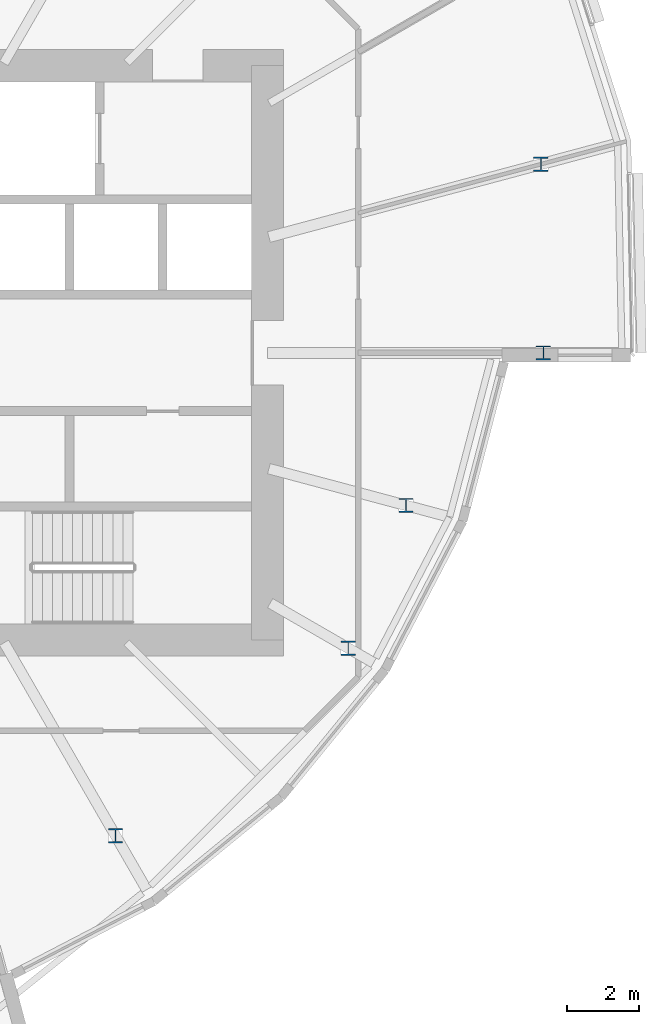
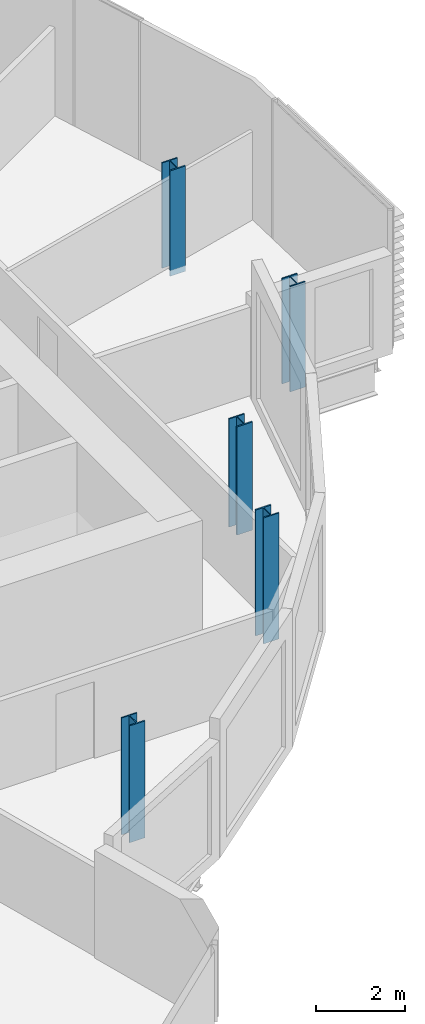
# One storey, part 2 of 38: 5 columns.
"""IFC4 building model written with IfcOpenShell, lengths in metres."""

from ifc_helpers import new_model, si_unit, direction, frame, origin, origin_2d, place, context, subcontext, project, spatial, i_section, extrude, material, material_profile, profile_set, type_object, element, save


model = new_model("IFC4")

# Units and contexts
model_context = context("Model", 3, precision=1e-05, world=origin(), true_north=direction((0.0, 1.0)))
body_context = subcontext(model_context, "Body", "Model", "MODEL_VIEW")
ifc_project = project(units=[si_unit("LENGTHUNIT", "METRE"), si_unit("AREAUNIT", "SQUARE_METRE"), si_unit("VOLUMEUNIT", "CUBIC_METRE"), si_unit("PLANEANGLEUNIT", "RADIAN"), si_unit("MASSUNIT", "GRAM", prefix="KILO")], contexts=[model_context])

# Site, building, storey
site_placement = place(None, origin())
site = spatial("IfcSite", under=ifc_project, at=site_placement, CompositionType="ELEMENT")
building_placement = place(site_placement, origin())
building = spatial("IfcBuilding", under=site, at=building_placement, Name="Rimbun Link Towers", CompositionType="ELEMENT")
storey_placement = place(building_placement, frame((0.0, 0.0, 68.0)))
storey = spatial("IfcBuildingStorey", under=building, at=storey_placement, Name="L16", CompositionType="ELEMENT", Elevation=68.0)

# Columns
ifc_material = material(Name="Steel S355J2", Category="steel")
ifc_material_profile = material_profile(ifc_material, i_section(OverallWidth=0.39892578125, OverallDepth=0.3935546875, WebThickness=0.022705078125, FlangeThickness=0.03662109375, at=origin_2d()), Name="UC 356x406x287")
ifc_profile_set = profile_set([ifc_material_profile], Name="Steel S355J2")
column_type = type_object("IfcColumnType", Name="UC 356x406x287", PredefinedType="COLUMN", material=ifc_profile_set)
column_1_placement = place(storey_placement, frame((39.517578125, -13.45361328125, -0.159912109375), z_axis=(0.0, 0.0, 1.0), x_axis=(1.0, 0.0, 0.0)))
element("IfcColumn", 1, at=column_1_placement, inside=storey, type_object=column_type, Name="Crease post T2 L16 17", PredefinedType="COLUMN", context=body_context, shape_type="SweptSolid", body=[
    extrude(i_section(OverallWidth=0.39892578125, OverallDepth=0.3935546875, WebThickness=0.022705078125, FlangeThickness=0.03662109375, at=origin_2d()), origin(), (0.0, 0.0, 1.0), 3.197265625),
])
column_2_placement = place(storey_placement, frame((46.0009765625, -8.227783203125, -0.159912109375), z_axis=(0.0, 0.0, 1.0), x_axis=(1.0, 0.0, 0.0)))
element("IfcColumn", 2, at=column_2_placement, inside=storey, type_object=column_type, Name="Crease post T2 L16 19", PredefinedType="COLUMN", context=body_context, shape_type="SweptSolid", body=[
    extrude(i_section(OverallWidth=0.39892578125, OverallDepth=0.3935546875, WebThickness=0.022705078125, FlangeThickness=0.03662109375, at=origin_2d()), origin(), (0.0, 0.0, 1.0), 3.44482421875),
])
column_3_placement = place(storey_placement, frame((47.610107421875, -4.249755859375, -0.159912109375), z_axis=(0.0, 0.0, 1.0), x_axis=(1.0, 0.0, 0.0)))
element("IfcColumn", 3, at=column_3_placement, inside=storey, type_object=column_type, Name="Crease post T2 L16 20", PredefinedType="COLUMN", context=body_context, shape_type="SweptSolid", body=[
    extrude(i_section(OverallWidth=0.39892578125, OverallDepth=0.3935546875, WebThickness=0.022705078125, FlangeThickness=0.03662109375, at=origin_2d()), origin(), (0.0, 0.0, 1.0), 2.959228515625),
])
for number, where, z_axis, x_axis, name in (
    (4, (51.435791015625, 0.0, -0.159912109375), (0.0, 0.0, 1.0), (1.0, 0.0, 0.0), "Crease post T2 L16 21"),
    (5, (51.3662109375, 5.256103515625, -0.159912109375), (0.0, 0.0, 1.0), (1.0, 0.0, 0.0), "Crease post T2 L16 22"),
):
    element("IfcColumn", number, at=place(storey_placement, frame(where, z_axis=z_axis, x_axis=x_axis)), inside=storey, type_object=column_type, Name=name, PredefinedType="COLUMN", context=body_context, shape_type="SweptSolid", body=[
        extrude(i_section(OverallWidth=0.39892578125, OverallDepth=0.3935546875, WebThickness=0.022705078125, FlangeThickness=0.03662109375, at=origin_2d()), origin(), (0.0, 0.0, 1.0), 2.881591796875),
    ])

save(model, "model.ifc")
